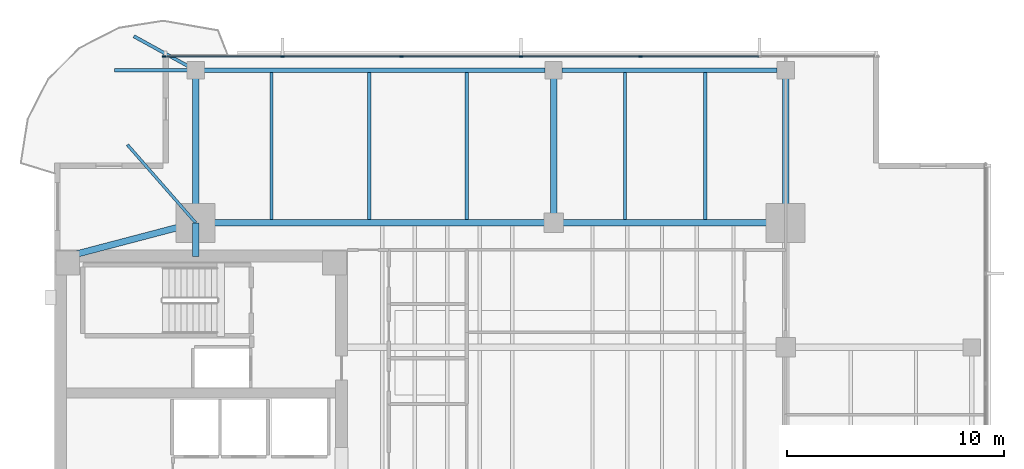
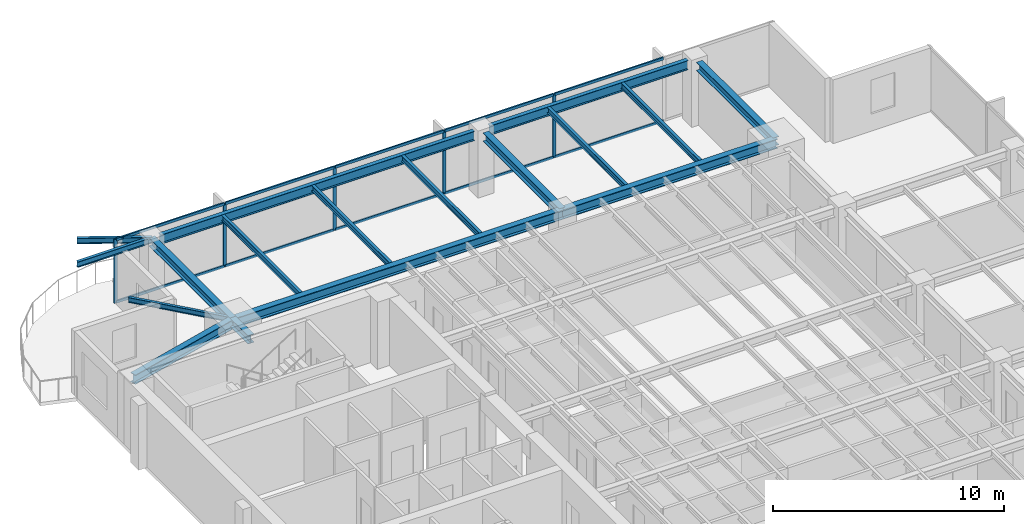
# One storey, part 5 of 14: 17 beams, 15 members, 1 element without a shape of its own.
"""IFC4 building model written with IfcOpenShell, lengths in metres."""

import ifcopenshell
import ifcopenshell.guid

model = None  # the IFC model being written
_history = None  # IfcOwnerHistory: only IFC2X3 demands one
_inside = {}  # id of a spatial element -> (the spatial element, [elements in it])
_under = {}  # id of a project, library or spatial element -> (it, [spatial elements below it])
_declared = {}  # id of a project -> (the project, [libraries it declares])
_typed = {}  # id of a type object -> (the type object, [elements of that type])
_made_of = {}  # id of a material, layer set ... -> (it, [elements and type objects made of it])


def new_model(schema):
    """Start an empty IFC model of exactly this schema.

    Asked for "IFC4X3", IfcOpenShell would pick the latest addendum, in which some entities
    have other attributes; the version numbers below select the first issue.
    IFC2X3 requires an IfcOwnerHistory on every rooted entity: one is made here for all.
    """
    global model, _history
    if schema == "IFC4X3":
        model = ifcopenshell.file(schema_version=(4, 3, 0, 0))
    else:
        model = ifcopenshell.file(schema=schema)
    _inside.clear()
    _under.clear()
    _declared.clear()
    _typed.clear()
    _made_of.clear()
    _history = None
    if model.schema == "IFC2X3":
        org = make("IfcOrganization", Name="unknown")
        user = make(
            "IfcPersonAndOrganization",
            ThePerson=make("IfcPerson", FamilyName="unknown"),
            TheOrganization=org,
        )
        app = make(
            "IfcApplication",
            ApplicationDeveloper=org,
            Version="unknown",
            ApplicationFullName="unknown",
            ApplicationIdentifier="unknown",
        )
        _history = make(
            "IfcOwnerHistory",
            OwningUser=user,
            OwningApplication=app,
            ChangeAction="ADDED",
            CreationDate=0,
        )
    return model


def make(cls, **values):
    """One entity of the class cls with the attributes given. An attribute that is None is left unset."""
    return model.create_entity(
        cls, **{name: value for name, value in values.items() if value is not None}
    )


def rooted(cls, **values):
    """An entity with a GlobalId (a new one), such as an element, a storey or a relation."""
    return make(cls, GlobalId=ifcopenshell.guid.new(), OwnerHistory=_history, **values)


def si_unit(unit_type, name, prefix=None):
    """IfcSIUnit, for example si_unit("LENGTHUNIT", "METRE", prefix="MILLI")."""
    return make("IfcSIUnit", UnitType=unit_type, Prefix=prefix, Name=name)


def assignment(units):
    """IfcUnitAssignment: the units of a project."""
    return None if units is None else make("IfcUnitAssignment", Units=units)


def point(xyz):
    """IfcCartesianPoint."""
    return None if xyz is None else make("IfcCartesianPoint", Coordinates=xyz)


def direction(xyz):
    """IfcDirection."""
    return None if xyz is None else make("IfcDirection", DirectionRatios=xyz)


def frame(location, z_axis=None, x_axis=None):
    """IfcAxis2Placement3D, a coordinate frame: its origin and axes. An axis left out is left unset."""
    return make(
        "IfcAxis2Placement3D",
        Location=point(location),
        Axis=direction(z_axis),
        RefDirection=direction(x_axis),
    )


def frame_2d(location, x_axis=None):
    """IfcAxis2Placement2D, a coordinate frame in the plane: its origin and x axis."""
    return make(
        "IfcAxis2Placement2D", Location=point(location), RefDirection=direction(x_axis)
    )


def origin():
    """The frame at (0, 0, 0) with its axes left unset."""
    return frame((0.0, 0.0, 0.0))


def origin_2d():
    """The frame at (0, 0) in the plane with its x axis left unset."""
    return frame_2d((0.0, 0.0))


def place(relative_to, where):
    """IfcLocalPlacement: puts the frame where relative to a parent placement (None: the world)."""
    return make(
        "IfcLocalPlacement", PlacementRelTo=relative_to, RelativePlacement=where
    )


def context(
    kind, dimensions, precision=None, world=None, true_north=None, identifier=None
):
    """IfcGeometricRepresentationContext, for example the 3D "Model" context."""
    return make(
        "IfcGeometricRepresentationContext",
        ContextIdentifier=identifier,
        ContextType=kind,
        CoordinateSpaceDimension=dimensions,
        Precision=precision,
        WorldCoordinateSystem=world,
        TrueNorth=true_north,
    )


def subcontext(parent, identifier, kind, view, scale=None):
    """IfcGeometricRepresentationSubContext, for example "Body" below "Model"."""
    return make(
        "IfcGeometricRepresentationSubContext",
        ContextIdentifier=identifier,
        ContextType=kind,
        ParentContext=parent,
        TargetScale=scale,
        TargetView=view,
    )


def project(units=None, contexts=None):
    """IfcProject with its units and contexts."""
    return rooted(
        "IfcProject",
        Name="project",
        RepresentationContexts=contexts,
        UnitsInContext=assignment(units),
    )


def spatial(cls, under=None, at=None, **own):
    """A site, building, storey or space (cls), placed at a placement, below another one or the project."""
    s = rooted(cls, ObjectPlacement=at, **own)
    if under is not None:
        _under.setdefault(under.id(), (under, []))[1].append(s)
    return s


def profile(cls, at=None, kind="AREA", **sizes):
    """A parametric profile (cls). Its sizes go by their IFC names, for example OverallWidth=200.0."""
    return make(cls, ProfileType=kind, Position=at, **sizes)


def rectangle(**sizes):
    """IfcRectangleProfileDef."""
    return profile("IfcRectangleProfileDef", **sizes)


def i_section(**sizes):
    """IfcIShapeProfileDef."""
    return profile("IfcIShapeProfileDef", **sizes)


def extrude(swept, where, along, depth):
    """IfcExtrudedAreaSolid: the profile swept, set in the frame where, extruded along a direction by depth."""
    return make(
        "IfcExtrudedAreaSolid",
        SweptArea=swept,
        Position=where,
        ExtrudedDirection=direction(along),
        Depth=depth,
    )


def shape(context_of_items, identifier, shape_type, items):
    """IfcShapeRepresentation: the items that make up one representation, for example the "Body"."""
    return make(
        "IfcShapeRepresentation",
        ContextOfItems=context_of_items,
        RepresentationIdentifier=identifier,
        RepresentationType=shape_type,
        Items=items,
    )


def material(Name=None, Category=None):
    """IfcMaterial."""
    return make("IfcMaterial", Name=Name, Category=Category)


def layer(
    of_material, thickness, ventilated=None, Name=None, Category=None, Priority=None
):
    """IfcMaterialLayer: one layer of a wall or slab, of a material (None: an air gap)."""
    return make(
        "IfcMaterialLayer",
        Material=of_material,
        LayerThickness=thickness,
        IsVentilated=ventilated,
        Name=Name,
        Category=Category,
        Priority=Priority,
    )


def layer_set(layers, Name=None):
    """IfcMaterialLayerSet."""
    return make("IfcMaterialLayerSet", MaterialLayers=layers, LayerSetName=Name)


def material_profile(
    of_material, cross_section, Name=None, Category=None, Priority=None
):
    """IfcMaterialProfile: a cross section and its material."""
    return make(
        "IfcMaterialProfile",
        Name=Name,
        Material=of_material,
        Profile=cross_section,
        Priority=Priority,
        Category=Category,
    )


def profile_set(profiles, Name=None, composite=None):
    """IfcMaterialProfileSet."""
    return make(
        "IfcMaterialProfileSet",
        Name=Name,
        MaterialProfiles=profiles,
        CompositeProfile=composite,
    )


def made_of(thing, what):
    """Note that an element or type object is made of a material, layer set ...; save() writes the relation."""
    if what is not None:
        _made_of.setdefault(what.id(), (what, []))[1].append(thing)
    return thing


def type_object(cls, material=None, **own):
    """A type object (cls), such as IfcWallType, which elements share."""
    return made_of(rooted(cls, **own), material)


def element(
    cls,
    number,
    at=None,
    inside=None,
    cuts=None,
    type_object=None,
    material=None,
    context=None,
    identifier="Body",
    shape_type=None,
    held_by="IfcProductDefinitionShape",
    body=None,
    shapes=None,
    **own,
):
    """One element of the class cls, such as IfcWall. Its Tag is "e" and its number.

    at: its placement. inside: the storey or other place that contains it. cuts: it is an
    opening in that element (IfcRelVoidsElement). A single representation is given by context,
    identifier, shape_type and body (its items); several are given by shapes. held_by: the class
    of the entity that holds the representations. save() writes the other relations.
    """
    e = rooted(cls, Tag="e%d" % number, ObjectPlacement=at, **own)
    if body is not None:
        shapes = [shape(context, identifier, shape_type, body)]
    if shapes is not None:
        e.Representation = make(held_by, Representations=shapes)
    if inside is not None:
        _inside.setdefault(inside.id(), (inside, []))[1].append(e)
    if cuts is not None:
        rooted(
            "IfcRelVoidsElement", RelatingBuildingElement=cuts, RelatedOpeningElement=e
        )
    if type_object is not None:
        _typed.setdefault(type_object.id(), (type_object, []))[1].append(e)
    return made_of(e, material)


def aggregate(whole, parts):
    """IfcRelAggregates: a whole, such as a stair, and the parts it consists of."""
    return rooted("IfcRelAggregates", RelatingObject=whole, RelatedObjects=parts)


def save(model, path):
    """Write the relations noted so far, then the file.

    IfcRelAggregates (storeys below a building ...), IfcRelContainedInSpatialStructure (elements
    in a storey), IfcRelDefinesByType, IfcRelAssociatesMaterial and IfcRelDeclares: one each for
    every whole, place, type object, material and project.
    """
    for whole, parts in _under.values():
        aggregate(whole, parts)
    for where, things in _inside.values():
        rooted(
            "IfcRelContainedInSpatialStructure",
            RelatedElements=things,
            RelatingStructure=where,
        )
    for kind, things in _typed.values():
        rooted("IfcRelDefinesByType", RelatedObjects=things, RelatingType=kind)
    for what, things in _made_of.values():
        rooted("IfcRelAssociatesMaterial", RelatedObjects=things, RelatingMaterial=what)
    for by, libraries in _declared.values():
        rooted("IfcRelDeclares", RelatingContext=by, RelatedDefinitions=libraries)
    model.write(path)


model = new_model("IFC4")

# Units and contexts
model_context = context("Model", 3, precision=1e-05, world=origin(), true_north=direction((0.0, 1.0)))
body_context = subcontext(model_context, "Body", "Model", "MODEL_VIEW")
ifc_project = project(units=[si_unit("LENGTHUNIT", "METRE"), si_unit("AREAUNIT", "SQUARE_METRE"), si_unit("VOLUMEUNIT", "CUBIC_METRE"), si_unit("PLANEANGLEUNIT", "RADIAN"), si_unit("MASSUNIT", "GRAM", prefix="KILO")], contexts=[model_context])

# Site, building, storey
site_placement = place(None, origin())
site = spatial("IfcSite", under=ifc_project, at=site_placement, CompositionType="ELEMENT")
building_placement = place(site_placement, origin())
building = spatial("IfcBuilding", under=site, at=building_placement, Name="Kinhvarn Gate Tower", CompositionType="ELEMENT")
storey_placement = place(building_placement, frame((0.0, 0.0, 223.550048828125)))
storey = spatial("IfcBuildingStorey", under=building, at=storey_placement, Name="L59", CompositionType="ELEMENT", Elevation=223.550048828125)

# Curtain wall, members
ifc_material_1 = material(Name="Anodised aluminium AW-6063", Category="aluminium")
ifc_layer = layer(ifc_material_1, 0.179931640625)
ifc_layer_set = layer_set([ifc_layer], Name="Anodised aluminium AW-6063")
curtain_wall_type = type_object("IfcCurtainWallType", Name="CW-SYS-3", PredefinedType="NOTDEFINED", material=ifc_layer_set)
curtain_wall_placement = place(storey_placement, origin())
curtain_wall = element("IfcCurtainWall", 1, at=curtain_wall_placement, inside=storey, type_object=curtain_wall_type, Name="Curtain Wall CW3 (L59)", PredefinedType="NOTDEFINED")
ifc_material_profile_1 = material_profile(ifc_material_1, rectangle(XDim=0.06494140625, YDim=0.159912109375, at=origin_2d()), Name="ALU 65x160")
ifc_profile_set_1 = profile_set([ifc_material_profile_1], Name="Anodised aluminium AW-6063")
member_type_1 = type_object("IfcMemberType", Name="CW-MUL-160", PredefinedType="MULLION", material=ifc_profile_set_1)
member_1_placement = place(storey_placement, frame((31.5, 45.409912109375, 0.0), z_axis=(0.0, 0.0, 1.0), x_axis=(0.0, -1.0, 0.0)))
member_1 = element("IfcMember", 2, at=member_1_placement, type_object=member_type_1, Name="CW3 mullion 3", PredefinedType="MULLION", context=body_context, shape_type="SweptSolid", body=[
    extrude(rectangle(XDim=0.06494140625, YDim=0.159912109375, at=origin_2d()), origin(), (0.0, 0.0, 1.0), 3.369873046875),
])
member_2_placement = place(storey_placement, frame((26.0, 45.409912109375, 0.0), z_axis=(0.0, 0.0, 1.0), x_axis=(0.0, -1.0, 0.0)))
member_2 = element("IfcMember", 3, at=member_2_placement, type_object=member_type_1, Name="CW3 mullion 4", PredefinedType="MULLION", context=body_context, shape_type="SweptSolid", body=[
    extrude(rectangle(XDim=0.06494140625, YDim=0.159912109375, at=origin_2d()), origin(), (0.0, 0.0, 1.0), 3.369873046875),
])
member_3_placement = place(storey_placement, frame((20.5, 45.409912109375, 0.0), z_axis=(0.0, 0.0, 1.0), x_axis=(0.0, -1.0, 0.0)))
member_3 = element("IfcMember", 4, at=member_3_placement, type_object=member_type_1, Name="CW3 mullion 5", PredefinedType="MULLION", context=body_context, shape_type="SweptSolid", body=[
    extrude(rectangle(XDim=0.06494140625, YDim=0.159912109375, at=origin_2d()), origin(), (0.0, 0.0, 1.0), 3.369873046875),
])
member_4_placement = place(storey_placement, frame((15.0, 45.409912109375, 0.0), z_axis=(0.0, 0.0, 1.0), x_axis=(0.0, -1.0, 0.0)))
member_4 = element("IfcMember", 5, at=member_4_placement, type_object=member_type_1, Name="CW3 mullion 6", PredefinedType="MULLION", context=body_context, shape_type="SweptSolid", body=[
    extrude(rectangle(XDim=0.06494140625, YDim=0.159912109375, at=origin_2d()), origin(), (0.0, 0.0, 1.0), 3.369873046875),
])
member_5_placement = place(storey_placement, frame((9.532470703125, 45.409912109375, 0.0), z_axis=(0.0, 0.0, 1.0), x_axis=(0.0, -1.0, 0.0)))
member_5 = element("IfcMember", 6, at=member_5_placement, type_object=member_type_1, Name="CW3 mullion 7", PredefinedType="MULLION", context=body_context, shape_type="SweptSolid", body=[
    extrude(rectangle(XDim=0.06494140625, YDim=0.159912109375, at=origin_2d()), origin(), (0.0, 0.0, 1.0), 3.369873046875),
])
ifc_material_profile_2 = material_profile(ifc_material_1, rectangle(XDim=0.070068359375, YDim=0.139892578125, at=origin_2d()), Name="ALU 70x140")
ifc_profile_set_2 = profile_set([ifc_material_profile_2], Name="Anodised aluminium AW-6063")
member_type_2 = type_object("IfcMemberType", Name="CW-TRN-140", PredefinedType="USERDEFINED", material=ifc_profile_set_2)
member_6_placement = place(storey_placement, frame((36.967529296875, 45.409912109375, 0.034912109375), z_axis=(-1.0, 0.0, 0.0), x_axis=(0.0, -1.0, 0.0)))
member_6 = element("IfcMember", 7, at=member_6_placement, type_object=member_type_2, Name="CW3 transom 2.1", ObjectType="TRANSOM", PredefinedType="USERDEFINED", context=body_context, shape_type="SweptSolid", body=[
    extrude(rectangle(XDim=0.070068359375, YDim=0.139892578125, at=origin_2d()), origin(), (0.0, 0.0, 1.0), 5.43505859375),
])
member_7_placement = place(storey_placement, frame((36.967529296875, 45.409912109375, 3.3349609375), z_axis=(-1.0, 0.0, 0.0), x_axis=(0.0, -1.0, 0.0)))
member_7 = element("IfcMember", 8, at=member_7_placement, type_object=member_type_2, Name="CW3 transom 2.2", ObjectType="TRANSOM", PredefinedType="USERDEFINED", context=body_context, shape_type="SweptSolid", body=[
    extrude(rectangle(XDim=0.070068359375, YDim=0.139892578125, at=origin_2d()), origin(), (0.0, 0.0, 1.0), 5.43505859375),
])
member_8_placement = place(storey_placement, frame((31.467529296875, 45.409912109375, 0.034912109375), z_axis=(-1.0, 0.0, 0.0), x_axis=(0.0, -1.0, 0.0)))
member_8 = element("IfcMember", 9, at=member_8_placement, type_object=member_type_2, Name="CW3 transom 3.1", ObjectType="TRANSOM", PredefinedType="USERDEFINED", context=body_context, shape_type="SweptSolid", body=[
    extrude(rectangle(XDim=0.070068359375, YDim=0.139892578125, at=origin_2d()), origin(), (0.0, 0.0, 1.0), 5.43505859375),
])
member_9_placement = place(storey_placement, frame((31.467529296875, 45.409912109375, 3.3349609375), z_axis=(-1.0, 0.0, 0.0), x_axis=(0.0, -1.0, 0.0)))
member_9 = element("IfcMember", 10, at=member_9_placement, type_object=member_type_2, Name="CW3 transom 3.2", ObjectType="TRANSOM", PredefinedType="USERDEFINED", context=body_context, shape_type="SweptSolid", body=[
    extrude(rectangle(XDim=0.070068359375, YDim=0.139892578125, at=origin_2d()), origin(), (0.0, 0.0, 1.0), 5.43505859375),
])
member_10_placement = place(storey_placement, frame((25.967529296875, 45.409912109375, 0.034912109375), z_axis=(-1.0, 0.0, 0.0), x_axis=(0.0, -1.0, 0.0)))
member_10 = element("IfcMember", 11, at=member_10_placement, type_object=member_type_2, Name="CW3 transom 4.1", ObjectType="TRANSOM", PredefinedType="USERDEFINED", context=body_context, shape_type="SweptSolid", body=[
    extrude(rectangle(XDim=0.070068359375, YDim=0.139892578125, at=origin_2d()), origin(), (0.0, 0.0, 1.0), 5.43505859375),
])
member_11_placement = place(storey_placement, frame((25.967529296875, 45.409912109375, 3.3349609375), z_axis=(-1.0, 0.0, 0.0), x_axis=(0.0, -1.0, 0.0)))
member_11 = element("IfcMember", 12, at=member_11_placement, type_object=member_type_2, Name="CW3 transom 4.2", ObjectType="TRANSOM", PredefinedType="USERDEFINED", context=body_context, shape_type="SweptSolid", body=[
    extrude(rectangle(XDim=0.070068359375, YDim=0.139892578125, at=origin_2d()), origin(), (0.0, 0.0, 1.0), 5.43505859375),
])
member_12_placement = place(storey_placement, frame((20.467529296875, 45.409912109375, 0.034912109375), z_axis=(-1.0, 0.0, 0.0), x_axis=(0.0, -1.0, 0.0)))
member_12 = element("IfcMember", 13, at=member_12_placement, type_object=member_type_2, Name="CW3 transom 5.1", ObjectType="TRANSOM", PredefinedType="USERDEFINED", context=body_context, shape_type="SweptSolid", body=[
    extrude(rectangle(XDim=0.070068359375, YDim=0.139892578125, at=origin_2d()), origin(), (0.0, 0.0, 1.0), 5.43505859375),
])
member_13_placement = place(storey_placement, frame((20.467529296875, 45.409912109375, 3.3349609375), z_axis=(-1.0, 0.0, 0.0), x_axis=(0.0, -1.0, 0.0)))
member_13 = element("IfcMember", 14, at=member_13_placement, type_object=member_type_2, Name="CW3 transom 5.2", ObjectType="TRANSOM", PredefinedType="USERDEFINED", context=body_context, shape_type="SweptSolid", body=[
    extrude(rectangle(XDim=0.070068359375, YDim=0.139892578125, at=origin_2d()), origin(), (0.0, 0.0, 1.0), 5.43505859375),
])
member_14_placement = place(storey_placement, frame((14.967529296875, 45.409912109375, 0.034912109375), z_axis=(-1.0, 0.0, 0.0), x_axis=(0.0, -1.0, 0.0)))
member_14 = element("IfcMember", 15, at=member_14_placement, type_object=member_type_2, Name="CW3 transom 6.1", ObjectType="TRANSOM", PredefinedType="USERDEFINED", context=body_context, shape_type="SweptSolid", body=[
    extrude(rectangle(XDim=0.070068359375, YDim=0.139892578125, at=origin_2d()), origin(), (0.0, 0.0, 1.0), 5.402587890625),
])
member_15_placement = place(storey_placement, frame((14.967529296875, 45.409912109375, 3.3349609375), z_axis=(-1.0, 0.0, 0.0), x_axis=(0.0, -1.0, 0.0)))
member_15 = element("IfcMember", 16, at=member_15_placement, type_object=member_type_2, Name="CW3 transom 6.2", ObjectType="TRANSOM", PredefinedType="USERDEFINED", context=body_context, shape_type="SweptSolid", body=[
    extrude(rectangle(XDim=0.070068359375, YDim=0.139892578125, at=origin_2d()), origin(), (0.0, 0.0, 1.0), 5.402587890625),
])
aggregate(curtain_wall, [member_1, member_2, member_3, member_4, member_5, member_6, member_7, member_8, member_9, member_10, member_11, member_12, member_13, member_14, member_15])

# Beams
ifc_material_2 = material(Name="Steel S355", Category="steel")
ifc_material_profile_3 = material_profile(ifc_material_2, i_section(OverallWidth=0.300048828125, OverallDepth=0.449951171875, WebThickness=0.013916015625, FlangeThickness=0.02587890625, at=origin_2d()), Name="HEB 450")
ifc_profile_set_3 = profile_set([ifc_material_profile_3], Name="Steel S355")
beam_type_1 = type_object("IfcBeamType", Name="STL-HEB450", PredefinedType="BEAM", material=ifc_profile_set_3)
beam_1_placement = place(storey_placement, frame((11.0, 36.199951171875, 3.14501953125), z_axis=(0.0, 1.0, 0.0), x_axis=(-1.0, 0.0, 0.0)))
element("IfcBeam", 17, at=beam_1_placement, inside=storey, type_object=beam_type_1, Name="Floor Beam PG-13 (L59 MCW-CN)", PredefinedType="BEAM", context=body_context, shape_type="SweptSolid", body=[
    extrude(i_section(OverallWidth=0.300048828125, OverallDepth=0.449951171875, WebThickness=0.013916015625, FlangeThickness=0.02587890625, at=origin_2d()), origin(), (0.0, 0.0, 1.0), 1.550048828125),
])
beam_2_placement = place(storey_placement, frame((11.0, 37.75, 3.14501953125), z_axis=(0.0, 1.0, 0.0), x_axis=(-1.0, 0.0, 0.0)))
element("IfcBeam", 18, at=beam_2_placement, inside=storey, type_object=beam_type_1, Name="Floor Beam PG-13 (L59 MCW-N)", PredefinedType="BEAM", context=body_context, shape_type="SweptSolid", body=[
    extrude(i_section(OverallWidth=0.300048828125, OverallDepth=0.449951171875, WebThickness=0.013916015625, FlangeThickness=0.02587890625, at=origin_2d()), origin(), (0.0, 0.0, 1.0), 7.030029296875),
])
for number, where, z_axis, x_axis, name in (
    (19, (27.5, 37.75, 3.14501953125), (0.0, 1.0, 0.0), (-1.0, 0.0, 0.0), "Floor Beam PG-13 (L59 SP27-N-TIE)"),
    (20, (38.199951171875, 37.75, 3.14501953125), (0.0, 1.0, 0.0), (-1.0, 0.0, 0.0), "Floor Beam PG-13 (L59 MCE-N)"),
):
    element("IfcBeam", number, at=place(storey_placement, frame(where, z_axis=z_axis, x_axis=x_axis)), inside=storey, type_object=beam_type_1, Name=name, PredefinedType="BEAM", context=body_context, shape_type="SweptSolid", body=[
        extrude(i_section(OverallWidth=0.300048828125, OverallDepth=0.449951171875, WebThickness=0.013916015625, FlangeThickness=0.02587890625, at=origin_2d()), origin(), (0.0, 0.0, 1.0), 6.64501953125),
    ])
ifc_material_profile_4 = material_profile(ifc_material_2, i_section(OverallWidth=0.300048828125, OverallDepth=0.5, WebThickness=0.014404296875, FlangeThickness=0.028076171875, at=origin_2d()), Name="HEB 500")
ifc_profile_set_4 = profile_set([ifc_material_profile_4], Name="Steel S355")
beam_type_2 = type_object("IfcBeamType", Name="STL-HEB500", PredefinedType="BEAM", material=ifc_profile_set_4)
beam_3_placement = place(storey_placement, frame((11.0, 37.75, 3.119873046875), z_axis=(1.0, 0.0, 0.0), x_axis=(0.0, 1.0, 0.0)))
element("IfcBeam", 21, at=beam_3_placement, inside=storey, type_object=beam_type_2, Name="Floor Beam PG-14 (L59 MG-N1)", PredefinedType="BEAM", context=body_context, shape_type="SweptSolid", body=[
    extrude(i_section(OverallWidth=0.300048828125, OverallDepth=0.5, WebThickness=0.014404296875, FlangeThickness=0.028076171875, at=origin_2d()), origin(), (0.0, 0.0, 1.0), 16.5),
])
beam_4_placement = place(storey_placement, frame((27.5, 37.75, 3.119873046875), z_axis=(1.0, 0.0, 0.0), x_axis=(0.0, 1.0, 0.0)))
element("IfcBeam", 22, at=beam_4_placement, inside=storey, type_object=beam_type_2, Name="Floor Beam PG-14 (L59 MG-N2)", PredefinedType="BEAM", context=body_context, shape_type="SweptSolid", body=[
    extrude(i_section(OverallWidth=0.300048828125, OverallDepth=0.5, WebThickness=0.014404296875, FlangeThickness=0.028076171875, at=origin_2d()), origin(), (0.0, 0.0, 1.0), 10.699951171875),
])
beam_5_placement = place(storey_placement, frame((5.10009765625, 36.199951171875, 3.119873046875), z_axis=(0.967177623957, 0.254101246979, 0.0), x_axis=(-0.254101246979, 0.967177623957, 0.0)))
element("IfcBeam", 23, at=beam_5_placement, inside=storey, type_object=beam_type_2, Name="Floor Beam PG-14 (L59 MG-NW-DIAG)", PredefinedType="BEAM", context=body_context, shape_type="SweptSolid", body=[
    extrude(i_section(OverallWidth=0.300048828125, OverallDepth=0.5, WebThickness=0.014404296875, FlangeThickness=0.028076171875, at=origin_2d()), origin(), (0.0, 0.0, 1.0), 6.10009765625),
])
ifc_material_profile_5 = material_profile(ifc_material_2, i_section(OverallWidth=0.135009765625, OverallDepth=0.27001953125, WebThickness=0.006591796875, FlangeThickness=0.01025390625, at=origin_2d()), Name="IPE 270")
ifc_profile_set_5 = profile_set([ifc_material_profile_5], Name="Steel S355")
beam_type_3 = type_object("IfcBeamType", Name="STL-IPE270", PredefinedType="JOIST", material=ifc_profile_set_5)
beam_6_placement = place(storey_placement, frame((11.0, 37.75, 3.23486328125), z_axis=(-0.658482928045, 0.752595664001, 0.0), x_axis=(-0.752595664001, -0.658482928045, 0.0)))
element("IfcBeam", 24, at=beam_6_placement, inside=storey, type_object=beam_type_3, Name="Floor Joist SB-01 (L59 BAL-B3-L60)", PredefinedType="JOIST", context=body_context, shape_type="SweptSolid", body=[
    extrude(i_section(OverallWidth=0.135009765625, OverallDepth=0.27001953125, WebThickness=0.006591796875, FlangeThickness=0.01025390625, at=origin_2d()), origin(), (0.0, 0.0, 1.0), 4.78369140625),
])
ifc_material_profile_6 = material_profile(ifc_material_2, i_section(OverallWidth=0.14990234375, OverallDepth=0.300048828125, WebThickness=0.007080078125, FlangeThickness=0.0107421875, at=origin_2d()), Name="IPE 300")
ifc_profile_set_6 = profile_set([ifc_material_profile_6], Name="Steel S355")
beam_type_4 = type_object("IfcBeamType", Name="STL-IPE300", PredefinedType="JOIST", material=ifc_profile_set_6)
for number, where, z_axis, x_axis, name in (
    (25, (14.5, 37.89990234375, 3.219970703125), (0.0, 1.0, 0.0), (-1.0, 0.0, 0.0), "Floor Joist SB-02 (L59 JN-X145)"),
    (26, (19.0, 37.89990234375, 3.219970703125), (0.0, 1.0, 0.0), (-1.0, 0.0, 0.0), "Floor Joist SB-02 (L59 JN-X190)"),
    (27, (23.5, 37.89990234375, 3.219970703125), (0.0, 1.0, 0.0), (-1.0, 0.0, 0.0), "Floor Joist SB-02 (L59 JN-X235)"),
    (28, (30.800048828125, 37.89990234375, 3.219970703125), (0.0, 1.0, 0.0), (-1.0, 0.0, 0.0), "Floor Joist SB-02 (L59 JN-X308)"),
    (29, (34.5, 37.89990234375, 3.219970703125), (0.0, 1.0, 0.0), (-1.0, 0.0, 0.0), "Floor Joist SB-02 (L59 JN-X345)"),
):
    element("IfcBeam", number, at=place(storey_placement, frame(where, z_axis=z_axis, x_axis=x_axis)), inside=storey, type_object=beam_type_4, Name=name, PredefinedType="JOIST", context=body_context, shape_type="SweptSolid", body=[
        extrude(i_section(OverallWidth=0.14990234375, OverallDepth=0.300048828125, WebThickness=0.007080078125, FlangeThickness=0.0107421875, at=origin_2d()), origin(), (0.0, 0.0, 1.0), 6.780029296875),
    ])
beam_7_placement = place(storey_placement, frame((11.0, 44.780029296875, 3.219970703125), z_axis=(-1.0, 0.0, 0.0), x_axis=(0.0, -1.0, 0.0)))
element("IfcBeam", 30, at=beam_7_placement, inside=storey, type_object=beam_type_4, Name="Floor Joist SB-02 (L59 BAL-B1-L60)", PredefinedType="JOIST", context=body_context, shape_type="SweptSolid", body=[
    extrude(i_section(OverallWidth=0.14990234375, OverallDepth=0.300048828125, WebThickness=0.007080078125, FlangeThickness=0.0107421875, at=origin_2d()), origin(), (0.0, 0.0, 1.0), 3.75),
])
beam_8_placement = place(storey_placement, frame((11.0, 44.780029296875, 3.219970703125), z_axis=(-0.875889381738, 0.482511959394, 0.0), x_axis=(-0.482511959394, -0.875889381738, 0.0)))
element("IfcBeam", 31, at=beam_8_placement, inside=storey, type_object=beam_type_4, Name="Floor Joist SB-02 (L59 BAL-B2-L60)", PredefinedType="JOIST", context=body_context, shape_type="SweptSolid", body=[
    extrude(i_section(OverallWidth=0.14990234375, OverallDepth=0.300048828125, WebThickness=0.007080078125, FlangeThickness=0.0107421875, at=origin_2d()), origin(), (0.0, 0.0, 1.0), 3.25390625),
])
ifc_material_profile_7 = material_profile(ifc_material_2, i_section(OverallWidth=0.199951171875, OverallDepth=0.5, WebThickness=0.01025390625, FlangeThickness=0.01611328125, at=origin_2d()), Name="IPE 500")
ifc_profile_set_7 = profile_set([ifc_material_profile_7], Name="Steel S355")
beam_type_5 = type_object("IfcBeamType", Name="STL-IPE500", PredefinedType="SPANDREL", material=ifc_profile_set_7)
beam_9_placement = place(storey_placement, frame((11.385009765625, 44.780029296875, 3.119873046875), z_axis=(1.0, 0.0, 0.0), x_axis=(0.0, 1.0, 0.0)))
element("IfcBeam", 32, at=beam_9_placement, inside=storey, type_object=beam_type_5, Name="Floor Spandrel SB-07 (L59 SP-N1)", PredefinedType="SPANDREL", context=body_context, shape_type="SweptSolid", body=[
    extrude(i_section(OverallWidth=0.199951171875, OverallDepth=0.5, WebThickness=0.01025390625, FlangeThickness=0.01611328125, at=origin_2d()), origin(), (0.0, 0.0, 1.0), 15.72998046875),
])
beam_10_placement = place(storey_placement, frame((27.885009765625, 44.780029296875, 3.119873046875), z_axis=(1.0, 0.0, 0.0), x_axis=(0.0, 1.0, 0.0)))
element("IfcBeam", 33, at=beam_10_placement, inside=storey, type_object=beam_type_5, Name="Floor Spandrel SB-07 (L59 SP-N2)", PredefinedType="SPANDREL", context=body_context, shape_type="SweptSolid", body=[
    extrude(i_section(OverallWidth=0.199951171875, OverallDepth=0.5, WebThickness=0.01025390625, FlangeThickness=0.01611328125, at=origin_2d()), origin(), (0.0, 0.0, 1.0), 9.929931640625),
])

save(model, "model.ifc")
